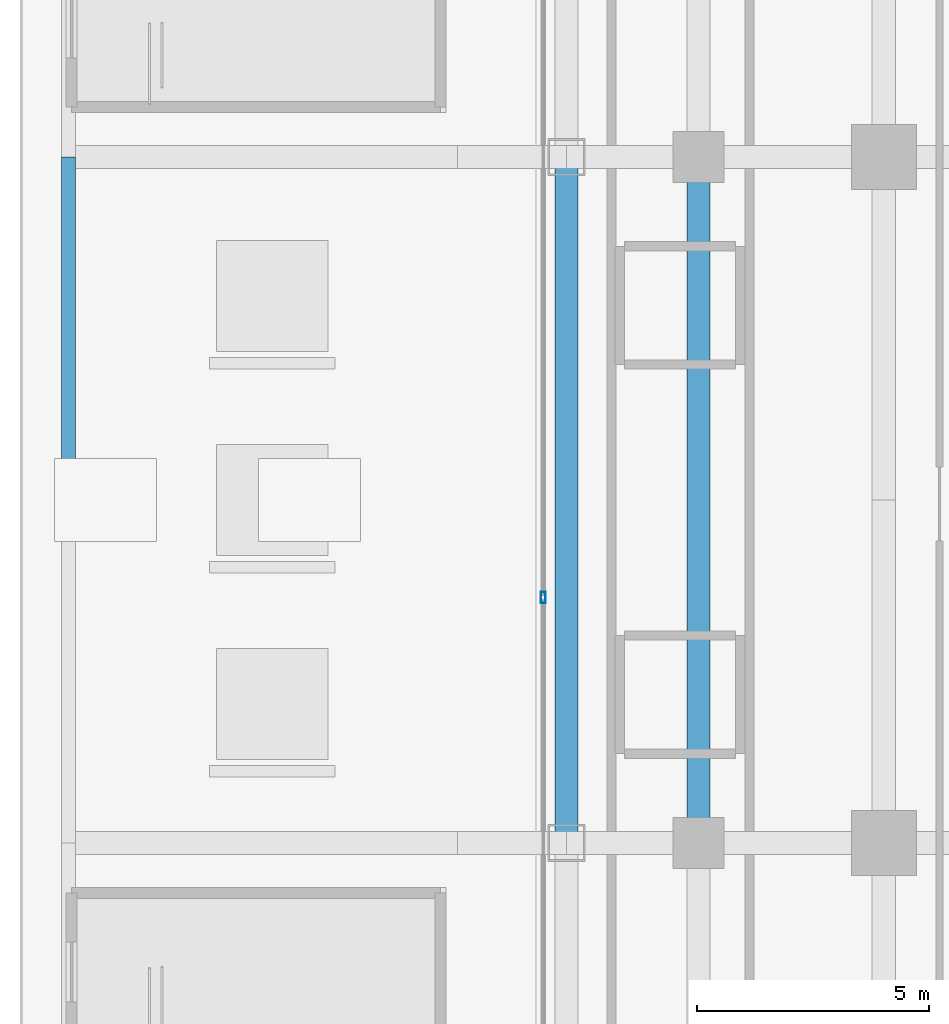
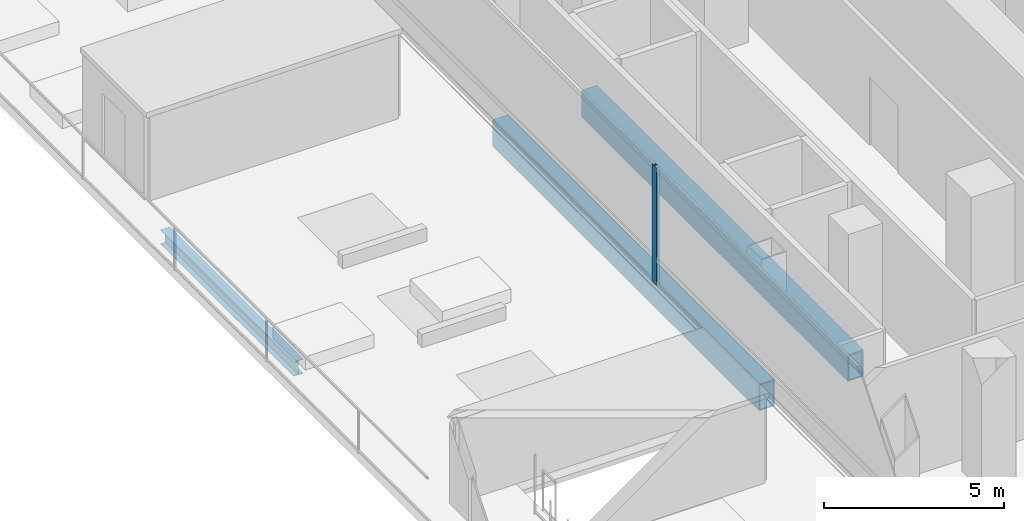
# One storey, part 6 of 29: 3 beams, 1 member, 1 element without a shape of its own.
"""IFC4 building model written with IfcOpenShell, lengths in metres."""

from ifc_helpers import new_model, si_unit, direction, frame, origin, origin_2d, place, context, subcontext, project, spatial, hollow_rectangle, i_section, extrude, material, layer, layer_set, material_profile, profile_set, type_object, element, aggregate, save


model = new_model("IFC4")

# Units and contexts
model_context = context("Model", 3, precision=1e-05, world=origin(), true_north=direction((0.0, 1.0)))
body_context = subcontext(model_context, "Body", "Model", "MODEL_VIEW")
ifc_project = project(units=[si_unit("LENGTHUNIT", "METRE"), si_unit("AREAUNIT", "SQUARE_METRE"), si_unit("VOLUMEUNIT", "CUBIC_METRE"), si_unit("PLANEANGLEUNIT", "RADIAN"), si_unit("MASSUNIT", "GRAM", prefix="KILO")], contexts=[model_context])

# Site, building, storey
site_placement = place(None, origin())
site = spatial("IfcSite", under=ifc_project, at=site_placement, CompositionType="ELEMENT")
building_placement = place(site_placement, origin())
building = spatial("IfcBuilding", under=site, at=building_placement, Name="Khorvyn Point Tower", CompositionType="ELEMENT")
storey_placement = place(building_placement, frame((0.0, 0.0, 26.39990234375)))
storey = spatial("IfcBuildingStorey", under=building, at=storey_placement, Name="L07", CompositionType="ELEMENT", Elevation=26.39990234375)

# Curtain wall, member
ifc_material_1 = material(Name="Anodised aluminium 6063-T6 and laminated Low-E glass", Category="aluminium")
ifc_layer = layer(ifc_material_1, 0.18994140625)
ifc_layer_set = layer_set([ifc_layer], Name="Stick-Built Finned Residential Curtain Wall CW-SYS-02")
curtain_wall_type = type_object("IfcCurtainWallType", Name="Stick-Built Finned Residential Curtain Wall CW-SYS-02", PredefinedType="NOTDEFINED", material=ifc_layer_set)
curtain_wall_placement = place(storey_placement, origin())
curtain_wall = element("IfcCurtainWall", 1, at=curtain_wall_placement, inside=storey, type_object=curtain_wall_type, Name="Curtain Wall", PredefinedType="NOTDEFINED")
ifc_material_2 = material(Name="Anodised aluminium 6063-T6", Category="aluminium")
ifc_material_profile_1 = material_profile(ifc_material_2, hollow_rectangle(XDim=0.10009765625, YDim=0.239990234375, WallThickness=0.0048828125, at=origin_2d()))
ifc_profile_set_1 = profile_set([ifc_material_profile_1], Name="Anodised aluminium 6063-T6 ALU-MUL-100x240")
member_type = type_object("IfcMemberType", Name="Anodised Aluminium 6063-T6 Mullion ALU-MUL-100x240", PredefinedType="MULLION", material=ifc_profile_set_1)
member_placement = place(storey_placement, frame((-22.14990234375, -2.10498046875, 0.0), z_axis=(0.0, 0.0, 1.0), x_axis=(-1.0, 0.0, 0.0)))
member = element("IfcMember", 2, at=member_placement, type_object=member_type, Name="Transom", PredefinedType="MULLION", context=body_context, shape_type="SweptSolid", body=[
    extrude(hollow_rectangle(XDim=0.10009765625, YDim=0.239990234375, WallThickness=0.0048828125, at=origin_2d()), origin(), (0.0, 0.0, 1.0), 3.97998046875),
])
aggregate(curtain_wall, [member])

# Beams
ifc_material_3 = material(Name="Steel S355", Category="steel")
ifc_material_profile_2 = material_profile(ifc_material_3, i_section(OverallWidth=0.300048828125, OverallDepth=0.488037109375, WebThickness=0.010986328125, FlangeThickness=0.01806640625, at=origin_2d()))
ifc_profile_set_2 = profile_set([ifc_material_profile_2], Name="Steel S355 H488x300x11x18")
beam_type_1 = type_object("IfcBeamType", Name="Steel S355 Spandrel H488x300x11x18", PredefinedType="SPANDREL", material=ifc_profile_set_2)
beam_placement = place(storey_placement, frame((-32.39990234375, 0.0, -0.56396484375), z_axis=(0.0, 1.0, 0.0), x_axis=(-1.0, 0.0, 0.0)))
element("IfcBeam", 3, at=beam_placement, inside=storey, type_object=beam_type_1, Name="Beam", PredefinedType="SPANDREL", context=body_context, shape_type="SweptSolid", body=[
    extrude(i_section(OverallWidth=0.300048828125, OverallDepth=0.488037109375, WebThickness=0.010986328125, FlangeThickness=0.01806640625, at=origin_2d()), origin(), (0.0, 0.0, 1.0), 7.39990234375),
])
ifc_material_4 = material(Name="Steel S450", Category="steel")
ifc_material_profile_3 = material_profile(ifc_material_4, hollow_rectangle(XDim=0.5, YDim=0.89990234375, WallThickness=0.0400390625, at=origin_2d()))
ifc_profile_set_3 = profile_set([ifc_material_profile_3], Name="Steel S450 BOX900x500x40")
beam_type_2 = type_object("IfcBeamType", Name="Steel S450 Beam BOX900x500x40", PredefinedType="BEAM", material=ifc_profile_set_3)
for number, where, z_axis, x_axis, name in (
    (4, (-21.64990234375, -7.39990234375, -0.77001953125), (0.0, 1.0, 0.0), (-1.0, 0.0, 0.0), "Beam"),
    (5, (-18.800048828125, -7.39990234375, -0.77001953125), (0.0, 1.0, 0.0), (-1.0, 0.0, 0.0), "Beam"),
):
    element("IfcBeam", number, at=place(storey_placement, frame(where, z_axis=z_axis, x_axis=x_axis)), inside=storey, type_object=beam_type_2, Name=name, PredefinedType="BEAM", context=body_context, shape_type="SweptSolid", body=[
        extrude(hollow_rectangle(XDim=0.5, YDim=0.89990234375, WallThickness=0.0400390625, at=origin_2d()), origin(), (0.0, 0.0, 1.0), 14.7998046875),
    ])

save(model, "model.ifc")
